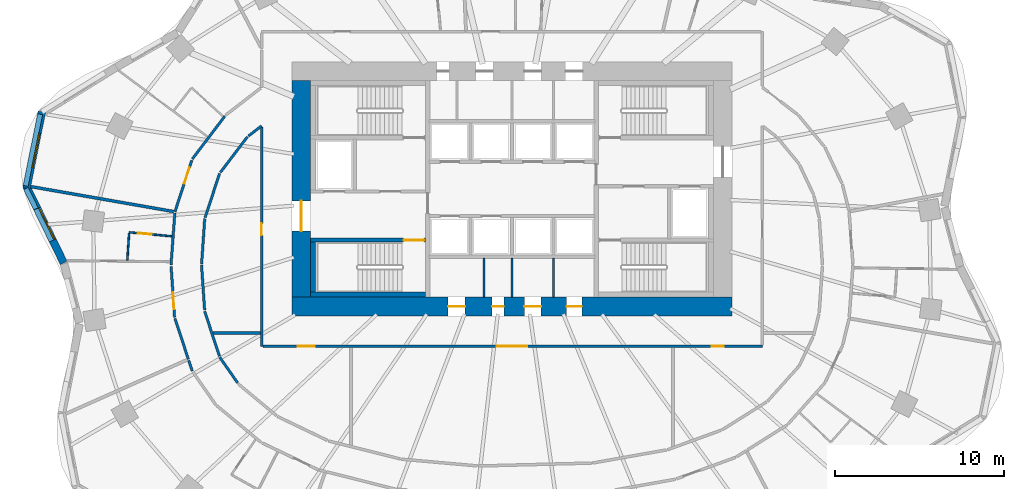
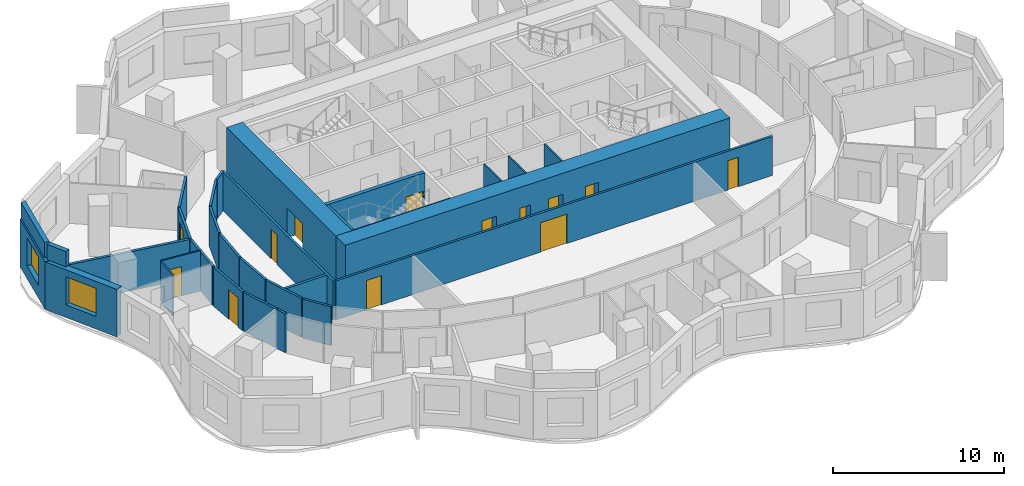
# One storey, part 4 of 10: 31 walls, 13 doors, 2 windows, 15 openings.
"""IFC4 building model written with IfcOpenShell, lengths in metres."""

from ifc_helpers import new_model, si_unit, direction, frame, frame_2d, origin, place, context, subcontext, project, spatial, rectangle, extrude, material, layer, layer_set, type_object, element, fill, save


model = new_model("IFC4")

# Units and contexts
model_context = context("Model", 3, precision=1e-05, world=origin(), true_north=direction((0.0, 1.0)))
body_context = subcontext(model_context, "Body", "Model", "MODEL_VIEW")
ifc_project = project(units=[si_unit("LENGTHUNIT", "METRE"), si_unit("AREAUNIT", "SQUARE_METRE"), si_unit("VOLUMEUNIT", "CUBIC_METRE"), si_unit("PLANEANGLEUNIT", "RADIAN"), si_unit("MASSUNIT", "GRAM", prefix="KILO")], contexts=[model_context])

# Site, building, storey
site_placement = place(None, origin())
site = spatial("IfcSite", under=ifc_project, at=site_placement, CompositionType="ELEMENT")
building_placement = place(site_placement, origin())
building = spatial("IfcBuilding", under=site, at=building_placement, Name="Rubra Terraces Tower", CompositionType="ELEMENT")
storey_placement = place(building_placement, frame((0.0, 0.0, 96.0)))
storey = spatial("IfcBuildingStorey", under=building, at=storey_placement, Name="L22", CompositionType="ELEMENT", Elevation=96.0)

# Walls
ifc_material_1 = material(Name="Twin plasterboard on staggered steel stud, acoustic mineral wool", Category="steel")
ifc_layer_1 = layer(ifc_material_1, 0.175048828125)
ifc_layer_set_1 = layer_set([ifc_layer_1], Name="Twin plasterboard on staggered steel stud, acoustic mineral wool")
wall_type_1 = type_object("IfcWallType", Name="ACOUSTIC PARTY WALL 175", PredefinedType="PARTITIONING", material=ifc_layer_set_1)
wall_1_placement = place(storey_placement, frame((-28.435791015625, 4.63818359375, 0.0), z_axis=(0.0, 0.0, 1.0), x_axis=(0.985076851218, -0.172115069633, 0.0)))
element("IfcWall", 1, at=wall_1_placement, inside=storey, type_object=wall_type_1, Name="PARTITION", PredefinedType="PARTITIONING", context=body_context, shape_type="SweptSolid", body=[
    extrude(rectangle(XDim=8.5732421875, YDim=0.175048828125, at=frame_2d((4.28662109375, 0.0))), origin(), (0.0, 0.0, 1.0), 2.783935546875),
])
wall_2_placement = place(storey_placement, frame((-17.667724609375, -4.0, 0.0), z_axis=(0.0, 0.0, 1.0), x_axis=(1.0, 0.0, 0.0)))
element("IfcWall", 2, at=wall_2_placement, inside=storey, type_object=wall_type_1, Name="PARTITION", PredefinedType="PARTITIONING", context=body_context, shape_type="SweptSolid", body=[
    extrude(rectangle(XDim=2.792724609375, YDim=0.175048828125, at=frame_2d((1.396484375, 0.0))), origin(), (0.0, 0.0, 1.0), 2.783935546875),
])

# Wall, opening, window
ifc_material_2 = material(Name="Brick masonry red-brown", Category="masonry")
ifc_layer_2 = layer(ifc_material_2, 0.449951171875)
ifc_layer_set_2 = layer_set([ifc_layer_2], Name="Brick masonry red-brown")
wall_type_2 = type_object("IfcWallType", Name="Brick facade wall 450", PredefinedType="SOLIDWALL", material=ifc_layer_set_2)
wall_3_placement = place(storey_placement, frame((-27.779541015625, 9.053466796875, 0.0), z_axis=(0.0, 0.0, 1.0), x_axis=(-0.197796229105, -0.980243159503, 0.0)))
wall_3 = element("IfcWall", 3, at=wall_3_placement, inside=storey, type_object=wall_type_2, Name="Facade wall L22 bay 19", PredefinedType="SOLIDWALL", context=body_context, shape_type="SweptSolid", body=[
    extrude(rectangle(XDim=4.610107421875, YDim=0.449951171875, at=frame_2d((2.30517578125, 0.0))), origin(), (0.0, 0.0, 1.0), 3.39990234375),
])
opening_1_placement = place(wall_3_placement, frame((1.255126953125, 0.0, 0.89990234375)))
opening_1 = element("IfcOpeningElement", 4, at=opening_1_placement, cuts=wall_3, Name="Opening W1", PredefinedType="OPENING", context=body_context, shape_type="SweptSolid", body=[
    extrude(rectangle(XDim=2.10009765625, YDim=2.0, at=frame_2d((1.050048828125, 1.0))), frame((0.0, 0.23486328125, 0.0), z_axis=(0.0, -1.0, 0.0), x_axis=(1.0, 0.0, 0.0)), (0.0, 0.0, 1.0), 0.469970703125),
])
ifc_material_3 = material(Name="Clear glass in aluminium frame", Category="aluminium")
window_type = type_object("IfcWindowType", Name="Fixed deep-set window 2100 x 2000", PartitioningType="SINGLE_PANEL", PredefinedType="WINDOW", material=ifc_material_3)
window_1_placement = place(opening_1_placement, origin())
window_1 = element("IfcWindow", 5, at=window_1_placement, inside=storey, type_object=window_type, Name="Window L22 bay 19", OverallHeight=2.0, OverallWidth=2.10009765625, PartitioningType="SINGLE_PANEL", PredefinedType="WINDOW", context=body_context, shape_type="SweptSolid", body=[
    extrude(rectangle(XDim=2.10009765625, YDim=2.0, at=frame_2d((1.050048828125, 1.0))), frame((0.0, 0.135009765625, 0.0), z_axis=(0.0, -1.0, 0.0), x_axis=(1.0, 0.0, 0.0)), (0.0, 0.0, 1.0), 0.06005859375),
])
fill(opening_1, window_1)

wall_4_placement = place(storey_placement, frame((-28.70703125, 4.672119140625, 0.0), z_axis=(0.0, 0.0, 1.0), x_axis=(0.439053549989, -0.898460895221, 0.0)))
wall_4 = element("IfcWall", 6, at=wall_4_placement, inside=storey, type_object=wall_type_2, Name="Facade wall L22 bay 20", PredefinedType="SOLIDWALL", context=body_context, shape_type="SweptSolid", body=[
    extrude(rectangle(XDim=5.061767578125, YDim=0.449951171875, at=frame_2d((2.53076171875, 0.0))), origin(), (0.0, 0.0, 1.0), 3.39990234375),
])
opening_2_placement = place(wall_4_placement, frame((1.48095703125, 0.0, 0.89990234375)))
opening_2 = element("IfcOpeningElement", 7, at=opening_2_placement, cuts=wall_4, Name="Opening W1", PredefinedType="OPENING", context=body_context, shape_type="SweptSolid", body=[
    extrude(rectangle(XDim=2.10009765625, YDim=2.0, at=frame_2d((1.050048828125, 1.0))), frame((0.0, 0.23486328125, 0.0), z_axis=(0.0, -1.0, 0.0), x_axis=(1.0, 0.0, 0.0)), (0.0, 0.0, 1.0), 0.469970703125),
])
window_2_placement = place(opening_2_placement, origin())
window_2 = element("IfcWindow", 8, at=window_2_placement, inside=storey, type_object=window_type, Name="Window L22 bay 20", OverallHeight=2.0, OverallWidth=2.10009765625, PartitioningType="SINGLE_PANEL", PredefinedType="WINDOW", context=body_context, shape_type="SweptSolid", body=[
    extrude(rectangle(XDim=2.10009765625, YDim=2.0, at=frame_2d((1.050048828125, 1.0))), frame((0.0, 0.135009765625, 0.0), z_axis=(0.0, -1.0, 0.0), x_axis=(1.0, 0.0, 0.0)), (0.0, 0.0, 1.0), 0.06005859375),
])
fill(opening_2, window_2)

# Walls
ifc_layer_3 = layer(ifc_material_2, 0.300048828125)
ifc_layer_set_3 = layer_set([ifc_layer_3], Name="Brick masonry red-brown")
wall_type_3 = type_object("IfcWallType", Name="Brick parapet 300", PredefinedType="PARAPET", material=ifc_layer_set_3)
wall_5_placement = place(storey_placement, frame((-27.884521484375, 8.91162109375, 3.60009765625), z_axis=(0.0, 0.0, 1.0), x_axis=(-0.197855213088, -0.980231255701, 0.0)))
element("IfcWall", 9, at=wall_5_placement, inside=storey, type_object=wall_type_3, Name="Parapet L22 bay 19", PredefinedType="PARAPET", context=body_context, shape_type="SweptSolid", body=[
    extrude(rectangle(XDim=4.31884765625, YDim=0.300048828125, at=frame_2d((2.159423828125, 0.0))), origin(), (0.0, 0.0, 1.0), 1.099853515625),
])
wall_6_placement = place(storey_placement, frame((-28.719482421875, 4.5263671875, 3.60009765625), z_axis=(0.0, 0.0, 1.0), x_axis=(0.439122076977, -0.898427404697, 0.0)))
element("IfcWall", 10, at=wall_6_placement, inside=storey, type_object=wall_type_3, Name="Parapet L22 bay 20", PredefinedType="PARAPET", context=body_context, shape_type="SweptSolid", body=[
    extrude(rectangle(XDim=1.3427734375, YDim=0.300048828125, at=frame_2d((0.67138671875, 0.0))), origin(), (0.0, 0.0, 1.0), 1.099853515625),
])

# Wall, openings, doors
ifc_material_4 = material(Name="Concrete C60", Category="concrete")
ifc_layer_4 = layer(ifc_material_4, 1.10009765625)
ifc_layer_set_4 = layer_set([ifc_layer_4], Name="Concrete C60")
wall_type_4 = type_object("IfcWallType", Name="CORE WALL 1100 C60", PredefinedType="SHEAR", material=ifc_layer_set_4)
wall_7_placement = place(storey_placement, frame((-13.0, -2.449951171875, 0.0), z_axis=(0.0, 0.0, 1.0), x_axis=(1.0, 0.0, 0.0)))
wall_7 = element("IfcWall", 11, at=wall_7_placement, inside=storey, type_object=wall_type_4, Name="CORE WALL S L22", PredefinedType="SHEAR", context=body_context, shape_type="SweptSolid", body=[
    extrude(rectangle(XDim=26.0, YDim=1.10009765625, at=frame_2d((13.0, 0.0))), origin(), (0.0, 0.0, 1.0), 3.60009765625),
])
opening_3_placement = place(wall_7_placement, frame((9.22509765625, 0.0, 0.0)))
opening_3 = element("IfcOpeningElement", 12, at=opening_3_placement, cuts=wall_7, Name="Opening L22.C19", PredefinedType="OPENING", context=body_context, shape_type="SweptSolid", body=[
    extrude(rectangle(XDim=1.0, YDim=2.10009765625, at=frame_2d((0.5, 1.050048828125))), frame((0.0, 0.56005859375, 0.0), z_axis=(0.0, -1.0, 0.0), x_axis=(1.0, 0.0, 0.0)), (0.0, 0.0, 1.0), 1.1201171875),
])
opening_4_placement = place(wall_7_placement, frame((11.824951171875, 0.0, 0.0)))
opening_4 = element("IfcOpeningElement", 13, at=opening_4_placement, cuts=wall_7, Name="Opening L22.C20", PredefinedType="OPENING", context=body_context, shape_type="SweptSolid", body=[
    extrude(rectangle(XDim=0.699951171875, YDim=2.10009765625, at=frame_2d((0.35009765625, 1.050048828125))), frame((0.0, 0.56005859375, 0.0), z_axis=(0.0, -1.0, 0.0), x_axis=(1.0, 0.0, 0.0)), (0.0, 0.0, 1.0), 1.1201171875),
])
opening_5_placement = place(wall_7_placement, frame((13.72509765625, 0.0, 0.0)))
opening_5 = element("IfcOpeningElement", 14, at=opening_5_placement, cuts=wall_7, Name="Opening L22.C21", PredefinedType="OPENING", context=body_context, shape_type="SweptSolid", body=[
    extrude(rectangle(XDim=1.0, YDim=2.10009765625, at=frame_2d((0.5, 1.050048828125))), frame((0.0, 0.56005859375, 0.0), z_axis=(0.0, -1.0, 0.0), x_axis=(1.0, 0.0, 0.0)), (0.0, 0.0, 1.0), 1.1201171875),
])
opening_6_placement = place(wall_7_placement, frame((16.22509765625, 0.0, 0.0)))
opening_6 = element("IfcOpeningElement", 15, at=opening_6_placement, cuts=wall_7, Name="Opening L22.C22", PredefinedType="OPENING", context=body_context, shape_type="SweptSolid", body=[
    extrude(rectangle(XDim=0.89990234375, YDim=2.10009765625, at=frame_2d((0.449951171875, 1.050048828125))), frame((0.0, 0.56005859375, 0.0), z_axis=(0.0, -1.0, 0.0), x_axis=(1.0, 0.0, 0.0)), (0.0, 0.0, 1.0), 1.1201171875),
])
ifc_material_5 = material(Name="Painted steel", Category="steel")
door_type_1 = type_object("IfcDoorType", Name="Fire door 1000x2100 single", OperationType="NOTDEFINED", PredefinedType="DOOR", material=ifc_material_5)
door_1_placement = place(opening_3_placement, origin())
door_1 = element("IfcDoor", 16, at=door_1_placement, inside=storey, type_object=door_type_1, Name="Linen store door", OperationType="SINGLE_SWING_LEFT", OverallHeight=2.10009765625, OverallWidth=1.0, PredefinedType="DOOR", context=body_context, shape_type="SweptSolid", body=[
    extrude(rectangle(XDim=1.0, YDim=2.10009765625, at=frame_2d((0.5, 1.050048828125))), frame((0.0, 0.02490234375, 0.0), z_axis=(0.0, -1.0, 0.0), x_axis=(1.0, 0.0, 0.0)), (0.0, 0.0, 1.0), 0.050048828125),
])
fill(opening_3, door_1)
door_2_placement = place(opening_5_placement, origin())
door_2 = element("IfcDoor", 17, at=door_2_placement, inside=storey, type_object=door_type_1, Name="Ice and vending room door", OperationType="SINGLE_SWING_LEFT", OverallHeight=2.10009765625, OverallWidth=1.0, PredefinedType="DOOR", context=body_context, shape_type="SweptSolid", body=[
    extrude(rectangle(XDim=1.0, YDim=2.10009765625, at=frame_2d((0.5, 1.050048828125))), frame((0.0, 0.02490234375, 0.0), z_axis=(0.0, -1.0, 0.0), x_axis=(1.0, 0.0, 0.0)), (0.0, 0.0, 1.0), 0.050048828125),
])
fill(opening_5, door_2)
door_type_2 = type_object("IfcDoorType", Name="Fire door 900x2100 single", OperationType="NOTDEFINED", PredefinedType="DOOR", material=ifc_material_5)
door_3_placement = place(opening_6_placement, origin())
door_3 = element("IfcDoor", 18, at=door_3_placement, inside=storey, type_object=door_type_2, Name="Cleaner's store door", OperationType="SINGLE_SWING_RIGHT", OverallHeight=2.10009765625, OverallWidth=0.89990234375, PredefinedType="DOOR", context=body_context, shape_type="SweptSolid", body=[
    extrude(rectangle(XDim=0.89990234375, YDim=2.10009765625, at=frame_2d((0.449951171875, 1.050048828125))), frame((0.0, 0.02490234375, 0.0), z_axis=(0.0, -1.0, 0.0), x_axis=(1.0, 0.0, 0.0)), (0.0, 0.0, 1.0), 0.050048828125),
])
fill(opening_6, door_3)
door_type_3 = type_object("IfcDoorType", Name="Riser access door 700x2100 single", OperationType="NOTDEFINED", PredefinedType="DOOR", material=ifc_material_5)
door_4_placement = place(opening_4_placement, origin())
door_4 = element("IfcDoor", 19, at=door_4_placement, inside=storey, type_object=door_type_3, Name="Telecoms room door", OperationType="SINGLE_SWING_RIGHT", OverallHeight=2.10009765625, OverallWidth=0.699951171875, PredefinedType="DOOR", context=body_context, shape_type="SweptSolid", body=[
    extrude(rectangle(XDim=0.699951171875, YDim=2.10009765625, at=frame_2d((0.35009765625, 1.050048828125))), frame((0.0, 0.02490234375, 0.0), z_axis=(0.0, -1.0, 0.0), x_axis=(1.0, 0.0, 0.0)), (0.0, 0.0, 1.0), 0.050048828125),
])
fill(opening_4, door_4)

# Wall, opening, door
wall_8_placement = place(storey_placement, frame((-12.449951171875, -1.89990234375, 0.0), z_axis=(0.0, 0.0, 1.0), x_axis=(0.0, 1.0, 0.0)))
wall_8 = element("IfcWall", 20, at=wall_8_placement, inside=storey, type_object=wall_type_4, Name="CORE WALL W L22", PredefinedType="SHEAR", context=body_context, shape_type="SweptSolid", body=[
    extrude(rectangle(XDim=12.7998046875, YDim=1.10009765625, at=frame_2d((6.39990234375, 0.0))), origin(), (0.0, 0.0, 1.0), 3.60009765625),
])
opening_7_placement = place(wall_8_placement, frame((3.89990234375, 0.0, 0.0)))
opening_7 = element("IfcOpeningElement", 21, at=opening_7_placement, cuts=wall_8, Name="Opening L22.C01", PredefinedType="OPENING", context=body_context, shape_type="SweptSolid", body=[
    extrude(rectangle(XDim=1.800048828125, YDim=2.10009765625, at=frame_2d((0.89990234375, 1.050048828125))), frame((0.0, 0.56005859375, 0.0), z_axis=(0.0, -1.0, 0.0), x_axis=(1.0, 0.0, 0.0)), (0.0, 0.0, 1.0), 1.1201171875),
])
door_type_4 = type_object("IfcDoorType", Name="Fire door 1800x2100 double", OperationType="NOTDEFINED", PredefinedType="DOOR", material=ifc_material_5)
door_5_placement = place(opening_7_placement, origin())
door_5 = element("IfcDoor", 22, at=door_5_placement, inside=storey, type_object=door_type_4, Name="Core entrance door FF1", OperationType="DOUBLE_DOOR_SINGLE_SWING", OverallHeight=2.10009765625, OverallWidth=1.800048828125, PredefinedType="DOOR", context=body_context, shape_type="SweptSolid", body=[
    extrude(rectangle(XDim=1.800048828125, YDim=2.10009765625, at=frame_2d((0.89990234375, 1.050048828125))), frame((0.0, 0.02490234375, 0.0), z_axis=(0.0, -1.0, 0.0), x_axis=(1.0, 0.0, 0.0)), (0.0, 0.0, 1.0), 0.050048828125),
])
fill(opening_7, door_5)

# Wall
ifc_material_6 = material(Name="Plasterboard on steel stud, mineral wool infill", Category="steel")
ifc_layer_5 = layer(ifc_material_6, 0.14990234375)
ifc_layer_set_5 = layer_set([ifc_layer_5], Name="Plasterboard on steel stud, mineral wool infill")
wall_type_5 = type_object("IfcWallType", Name="CORRIDOR PARTITION 150", PredefinedType="PARTITIONING", material=ifc_layer_set_5)
wall_9_placement = place(storey_placement, frame((-16.966796875, 8.799560546875, 0.0), z_axis=(0.0, 0.0, 1.0), x_axis=(-0.604991921991, -0.796231608469, 0.0)))
element("IfcWall", 23, at=wall_9_placement, inside=storey, type_object=wall_type_5, Name="PARTITION", PredefinedType="PARTITIONING", context=body_context, shape_type="SweptSolid", body=[
    extrude(rectangle(XDim=3.18505859375, YDim=0.14990234375, at=frame_2d((1.592529296875, 0.0))), origin(), (0.0, 0.0, 1.0), 2.783935546875),
])

# Wall, opening, door
wall_10_placement = place(storey_placement, frame((-18.917236328125, 6.192138671875, 0.0), z_axis=(0.0, 0.0, 1.0), x_axis=(-0.312108072507, -0.950046604686, 0.0)))
wall_10 = element("IfcWall", 24, at=wall_10_placement, inside=storey, type_object=wall_type_5, Name="PARTITION", PredefinedType="PARTITIONING", context=body_context, shape_type="SweptSolid", body=[
    extrude(rectangle(XDim=3.202392578125, YDim=0.14990234375, at=frame_2d((1.60107421875, 0.0))), origin(), (0.0, 0.0, 1.0), 2.783935546875),
])
opening_8_placement = place(wall_10_placement, frame((0.449951171875, 0.0, 0.0)))
opening_8 = element("IfcOpeningElement", 25, at=opening_8_placement, cuts=wall_10, Name="Opening 22-108", PredefinedType="OPENING", context=body_context, shape_type="SweptSolid", body=[
    extrude(rectangle(XDim=1.0, YDim=2.10009765625, at=frame_2d((0.5, 1.050048828125))), frame((0.0, 0.0849609375, 0.0), z_axis=(0.0, -1.0, 0.0), x_axis=(1.0, 0.0, 0.0)), (0.0, 0.0, 1.0), 0.169921875),
])
ifc_material_7 = material(Name="Painted timber door leaf", Category="wood")
door_type_5 = type_object("IfcDoorType", Name="ROOM DOOR 1000 X 2100", OperationType="SINGLE_SWING_LEFT", PredefinedType="DOOR", material=ifc_material_7)
door_6_placement = place(opening_8_placement, origin())
door_6 = element("IfcDoor", 26, at=door_6_placement, inside=storey, type_object=door_type_5, Name="DOOR 22-108", OperationType="SINGLE_SWING_RIGHT", OverallHeight=2.10009765625, OverallWidth=1.0, PredefinedType="DOOR", context=body_context, shape_type="SweptSolid", body=[
    extrude(rectangle(XDim=1.0, YDim=2.10009765625, at=frame_2d((0.5, 1.050048828125))), frame((0.0, 0.02490234375, 0.0), z_axis=(0.0, -1.0, 0.0), x_axis=(1.0, 0.0, 0.0)), (0.0, 0.0, 1.0), 0.050048828125),
])
fill(opening_8, door_6)

# Wall
wall_11_placement = place(storey_placement, frame((-19.922119140625, 3.07470703125, 0.0), z_axis=(0.0, 0.0, 1.0), x_axis=(-0.073565410214, -0.997290394228, 0.0)))
element("IfcWall", 27, at=wall_11_placement, inside=storey, type_object=wall_type_5, Name="PARTITION", PredefinedType="PARTITIONING", context=body_context, shape_type="SweptSolid", body=[
    extrude(rectangle(XDim=3.0830078125, YDim=0.14990234375, at=frame_2d((1.54150390625, 0.0))), origin(), (0.0, 0.0, 1.0), 2.783935546875),
])

# Wall, opening, door
wall_12_placement = place(storey_placement, frame((-20.143798828125, -0.07470703125, 0.0), z_axis=(0.0, 0.0, 1.0), x_axis=(0.068280105787, -0.997666190243, 0.0)))
wall_12 = element("IfcWall", 28, at=wall_12_placement, inside=storey, type_object=wall_type_5, Name="PARTITION", PredefinedType="PARTITIONING", context=body_context, shape_type="SweptSolid", body=[
    extrude(rectangle(XDim=3.017822265625, YDim=0.14990234375, at=frame_2d((1.5087890625, 0.0))), origin(), (0.0, 0.0, 1.0), 2.783935546875),
])
opening_9_placement = place(wall_12_placement, frame((1.550048828125, 0.0, 0.0)))
opening_9 = element("IfcOpeningElement", 29, at=opening_9_placement, cuts=wall_12, Name="Opening 22-111", PredefinedType="OPENING", context=body_context, shape_type="SweptSolid", body=[
    extrude(rectangle(XDim=1.0, YDim=2.10009765625, at=frame_2d((0.5, 1.050048828125))), frame((0.0, 0.0849609375, 0.0), z_axis=(0.0, -1.0, 0.0), x_axis=(1.0, 0.0, 0.0)), (0.0, 0.0, 1.0), 0.169921875),
])
door_7_placement = place(opening_9_placement, origin())
door_7 = element("IfcDoor", 30, at=door_7_placement, inside=storey, type_object=door_type_5, Name="DOOR 22-111", OperationType="SINGLE_SWING_RIGHT", OverallHeight=2.10009765625, OverallWidth=1.0, PredefinedType="DOOR", context=body_context, shape_type="SweptSolid", body=[
    extrude(rectangle(XDim=1.0, YDim=2.10009765625, at=frame_2d((0.5, 1.050048828125))), frame((0.0, 0.02490234375, 0.0), z_axis=(0.0, -1.0, 0.0), x_axis=(1.0, 0.0, 0.0)), (0.0, 0.0, 1.0), 0.050048828125),
])
fill(opening_9, door_7)

# Walls
wall_13_placement = place(storey_placement, frame((-19.914306640625, -3.15673828125, 0.0), z_axis=(0.0, 0.0, 1.0), x_axis=(0.312037873477, -0.950069663507, 0.0)))
element("IfcWall", 31, at=wall_13_placement, inside=storey, type_object=wall_type_5, Name="PARTITION", PredefinedType="PARTITIONING", context=body_context, shape_type="SweptSolid", body=[
    extrude(rectangle(XDim=2.53662109375, YDim=0.14990234375, at=frame_2d((1.268310546875, 0.0))), origin(), (0.0, 0.0, 1.0), 2.783935546875),
])
wall_14_placement = place(storey_placement, frame((-19.099365234375, -5.637939453125, 0.0), z_axis=(0.0, 0.0, 1.0), x_axis=(0.312220223489, -0.950009753657, 0.0)))
element("IfcWall", 32, at=wall_14_placement, inside=storey, type_object=wall_type_5, Name="PARTITION", PredefinedType="PARTITIONING", context=body_context, shape_type="SweptSolid", body=[
    extrude(rectangle(XDim=0.658447265625, YDim=0.14990234375, at=frame_2d((0.3291015625, 0.0))), origin(), (0.0, 0.0, 1.0), 2.783935546875),
])
wall_15_placement = place(storey_placement, frame((-16.20947265625, -6.9658203125, 0.0), z_axis=(0.0, 0.0, 1.0), x_axis=(-0.572051367607, 0.820217795966, 0.0)))
element("IfcWall", 33, at=wall_15_placement, inside=storey, type_object=wall_type_5, Name="PARTITION", PredefinedType="PARTITIONING", context=body_context, shape_type="SweptSolid", body=[
    extrude(rectangle(XDim=1.84765625, YDim=0.14990234375, at=frame_2d((0.923828125, 0.0))), origin(), (0.0, 0.0, 1.0), 2.783935546875),
])
wall_16_placement = place(storey_placement, frame((-17.289794921875, -5.379150390625, 0.0), z_axis=(0.0, 0.0, 1.0), x_axis=(-0.312009486843, 0.950078986253, 0.0)))
element("IfcWall", 34, at=wall_16_placement, inside=storey, type_object=wall_type_5, Name="PARTITION", PredefinedType="PARTITIONING", context=body_context, shape_type="SweptSolid", body=[
    extrude(rectangle(XDim=2.780029296875, YDim=0.14990234375, at=frame_2d((1.39013671875, 0.0))), origin(), (0.0, 0.0, 1.0), 2.783935546875),
])
for number, where, z_axis, x_axis, name in (
    (35, (-18.162353515625, -2.6630859375, 0.0), (0.0, 0.0, 1.0), (-0.068321828968, 0.997663333839, 0.0), "PARTITION"),
    (36, (-18.339599609375, 0.07470703125, 0.0), (0.0, 0.0, 1.0), (0.068321828968, 0.997663333839, 0.0), "PARTITION"),
):
    element("IfcWall", number, at=place(storey_placement, frame(where, z_axis=z_axis, x_axis=x_axis)), inside=storey, type_object=wall_type_5, Name=name, PredefinedType="PARTITIONING", context=body_context, shape_type="SweptSolid", body=[
        extrude(rectangle(XDim=2.66943359375, YDim=0.14990234375, at=frame_2d((1.334716796875, 0.0))), origin(), (0.0, 0.0, 1.0), 2.783935546875),
    ])
wall_17_placement = place(storey_placement, frame((-18.1337890625, 2.80908203125, 0.0), z_axis=(0.0, 0.0, 1.0), x_axis=(0.312005223814, 0.950080386237, 0.0)))
element("IfcWall", 37, at=wall_17_placement, inside=storey, type_object=wall_type_5, Name="PARTITION", PredefinedType="PARTITIONING", context=body_context, shape_type="SweptSolid", body=[
    extrude(rectangle(XDim=2.74267578125, YDim=0.14990234375, at=frame_2d((1.371337890625, 0.0))), origin(), (0.0, 0.0, 1.0), 2.783935546875),
])
wall_18_placement = place(storey_placement, frame((-17.232666015625, 5.474609375, 0.0), z_axis=(0.0, 0.0, 1.0), x_axis=(0.605024750549, 0.796206663639, 0.0)))
element("IfcWall", 38, at=wall_18_placement, inside=storey, type_object=wall_type_5, Name="PARTITION", PredefinedType="PARTITIONING", context=body_context, shape_type="SweptSolid", body=[
    extrude(rectangle(XDim=2.644775390625, YDim=0.14990234375, at=frame_2d((1.322265625, 0.0))), origin(), (0.0, 0.0, 1.0), 2.783935546875),
])
wall_19_placement = place(storey_placement, frame((-15.572998046875, 7.626220703125, 0.0), z_axis=(0.0, 0.0, 1.0), x_axis=(0.791581834002, 0.611063171921, 0.0)))
element("IfcWall", 39, at=wall_19_placement, inside=storey, type_object=wall_type_5, Name="PARTITION", PredefinedType="PARTITIONING", context=body_context, shape_type="SweptSolid", body=[
    extrude(rectangle(XDim=0.9765625, YDim=0.14990234375, at=frame_2d((0.48828125, 0.0))), origin(), (0.0, 0.0, 1.0), 2.783935546875),
])

# Wall, opening, door
wall_20_placement = place(storey_placement, frame((-14.800048828125, 8.14794921875, 0.0), z_axis=(0.0, 0.0, 1.0), x_axis=(0.0, -1.0, 0.0)))
wall_20 = element("IfcWall", 40, at=wall_20_placement, inside=storey, type_object=wall_type_5, Name="PARTITION", PredefinedType="PARTITIONING", context=body_context, shape_type="SweptSolid", body=[
    extrude(rectangle(XDim=12.947998046875, YDim=0.14990234375, at=frame_2d((6.47412109375, 0.0))), origin(), (0.0, 0.0, 1.0), 2.783935546875),
])
opening_10_placement = place(wall_20_placement, frame((5.68701171875, 0.0, 0.0)))
opening_10 = element("IfcOpeningElement", 41, at=opening_10_placement, cuts=wall_20, Name="Opening 22-129", PredefinedType="OPENING", context=body_context, shape_type="SweptSolid", body=[
    extrude(rectangle(XDim=0.699951171875, YDim=2.10009765625, at=frame_2d((0.35009765625, 1.050048828125))), frame((0.0, 0.0849609375, 0.0), z_axis=(0.0, -1.0, 0.0), x_axis=(1.0, 0.0, 0.0)), (0.0, 0.0, 1.0), 0.169921875),
])
door_type_6 = type_object("IfcDoorType", Name="STORE DOOR 700 X 2100", OperationType="SINGLE_SWING_LEFT", PredefinedType="DOOR", material=ifc_material_7)
door_8_placement = place(opening_10_placement, origin())
door_8 = element("IfcDoor", 42, at=door_8_placement, inside=storey, type_object=door_type_6, Name="DOOR 22-129", OperationType="SINGLE_SWING_RIGHT", OverallHeight=2.10009765625, OverallWidth=0.699951171875, PredefinedType="DOOR", context=body_context, shape_type="SweptSolid", body=[
    extrude(rectangle(XDim=0.699951171875, YDim=2.10009765625, at=frame_2d((0.35009765625, 1.050048828125))), frame((0.0, 0.02490234375, 0.0), z_axis=(0.0, -1.0, 0.0), x_axis=(1.0, 0.0, 0.0)), (0.0, 0.0, 1.0), 0.050048828125),
])
fill(opening_10, door_8)

# Wall, openings, doors
wall_21_placement = place(storey_placement, frame((-14.72509765625, -4.800048828125, 0.0), z_axis=(0.0, 0.0, 1.0), x_axis=(1.0, 0.0, 0.0)))
wall_21 = element("IfcWall", 43, at=wall_21_placement, inside=storey, type_object=wall_type_5, Name="PARTITION", PredefinedType="PARTITIONING", context=body_context, shape_type="SweptSolid", body=[
    extrude(rectangle(XDim=29.525146484375, YDim=0.14990234375, at=frame_2d((14.7626953125, 0.0))), origin(), (0.0, 0.0, 1.0), 2.783935546875),
])
opening_11_placement = place(wall_21_placement, frame((2.074951171875, 0.0, 0.0)))
opening_11 = element("IfcOpeningElement", 44, at=opening_11_placement, cuts=wall_21, Name="Opening 22-130", PredefinedType="OPENING", context=body_context, shape_type="SweptSolid", body=[
    extrude(rectangle(XDim=1.0, YDim=2.10009765625, at=frame_2d((0.5, 1.050048828125))), frame((0.0, 0.0849609375, 0.0), z_axis=(0.0, -1.0, 0.0), x_axis=(1.0, 0.0, 0.0)), (0.0, 0.0, 1.0), 0.169921875),
])
opening_12_placement = place(wall_21_placement, frame((13.824951171875, 0.0, 0.0)))
opening_12 = element("IfcOpeningElement", 45, at=opening_12_placement, cuts=wall_21, Name="Opening 22-131", PredefinedType="OPENING", context=body_context, shape_type="SweptSolid", body=[
    extrude(rectangle(XDim=1.800048828125, YDim=2.10009765625, at=frame_2d((0.89990234375, 1.050048828125))), frame((0.0, 0.0849609375, 0.0), z_axis=(0.0, -1.0, 0.0), x_axis=(1.0, 0.0, 0.0)), (0.0, 0.0, 1.0), 0.169921875),
])
opening_13_placement = place(wall_21_placement, frame((26.52490234375, 0.0, 0.0)))
opening_13 = element("IfcOpeningElement", 46, at=opening_13_placement, cuts=wall_21, Name="Opening 22-132", PredefinedType="OPENING", context=body_context, shape_type="SweptSolid", body=[
    extrude(rectangle(XDim=0.699951171875, YDim=2.10009765625, at=frame_2d((0.35009765625, 1.050048828125))), frame((0.0, 0.0849609375, 0.0), z_axis=(0.0, -1.0, 0.0), x_axis=(1.0, 0.0, 0.0)), (0.0, 0.0, 1.0), 0.169921875),
])
door_9_placement = place(opening_11_placement, origin())
door_9 = element("IfcDoor", 47, at=door_9_placement, inside=storey, type_object=door_type_5, Name="DOOR 22-130", OperationType="SINGLE_SWING_RIGHT", OverallHeight=2.10009765625, OverallWidth=1.0, PredefinedType="DOOR", context=body_context, shape_type="SweptSolid", body=[
    extrude(rectangle(XDim=1.0, YDim=2.10009765625, at=frame_2d((0.5, 1.050048828125))), frame((0.0, 0.02490234375, 0.0), z_axis=(0.0, -1.0, 0.0), x_axis=(1.0, 0.0, 0.0)), (0.0, 0.0, 1.0), 0.050048828125),
])
fill(opening_11, door_9)
ifc_material_8 = material(Name="Painted timber door leaf, double", Category="wood")
door_type_7 = type_object("IfcDoorType", Name="ROOM DOUBLE DOOR 1800 X 2100", OperationType="DOUBLE_DOOR_SINGLE_SWING", PredefinedType="DOOR", material=ifc_material_8)
door_10_placement = place(opening_12_placement, origin())
door_10 = element("IfcDoor", 48, at=door_10_placement, inside=storey, type_object=door_type_7, Name="DOOR 22-131", OperationType="DOUBLE_DOOR_SINGLE_SWING", OverallHeight=2.10009765625, OverallWidth=1.800048828125, PredefinedType="DOOR", context=body_context, shape_type="SweptSolid", body=[
    extrude(rectangle(XDim=1.800048828125, YDim=2.10009765625, at=frame_2d((0.89990234375, 1.050048828125))), frame((0.0, 0.02490234375, 0.0), z_axis=(0.0, -1.0, 0.0), x_axis=(1.0, 0.0, 0.0)), (0.0, 0.0, 1.0), 0.050048828125),
])
fill(opening_12, door_10)
door_11_placement = place(opening_13_placement, origin())
door_11 = element("IfcDoor", 49, at=door_11_placement, inside=storey, type_object=door_type_6, Name="DOOR 22-132", OperationType="SINGLE_SWING_RIGHT", OverallHeight=2.10009765625, OverallWidth=0.699951171875, PredefinedType="DOOR", context=body_context, shape_type="SweptSolid", body=[
    extrude(rectangle(XDim=0.699951171875, YDim=2.10009765625, at=frame_2d((0.35009765625, 1.050048828125))), frame((0.0, 0.02490234375, 0.0), z_axis=(0.0, -1.0, 0.0), x_axis=(1.0, 0.0, 0.0)), (0.0, 0.0, 1.0), 0.050048828125),
])
fill(opening_13, door_11)

# Walls
ifc_material_9 = material(Name="Concrete C40", Category="concrete")
ifc_layer_6 = layer(ifc_material_9, 0.300048828125)
ifc_layer_set_6 = layer_set([ifc_layer_6], Name="Concrete C40")
wall_type_6 = type_object("IfcWallType", Name="Core lining wall 300 concrete", PredefinedType="SOLIDWALL", material=ifc_layer_set_6)
wall_22_placement = place(storey_placement, frame((-11.89990234375, -1.75, 0.0), z_axis=(0.0, 0.0, 1.0), x_axis=(1.0, 0.0, 0.0)))
element("IfcWall", 50, at=wall_22_placement, inside=storey, type_object=wall_type_6, Name="CORE LINING WALL L22", PredefinedType="SOLIDWALL", context=body_context, shape_type="SweptSolid", body=[
    extrude(rectangle(XDim=6.7998046875, YDim=0.300048828125, at=frame_2d((3.39990234375, 0.0))), origin(), (0.0, 0.0, 1.0), 3.39990234375),
])
wall_23_placement = place(storey_placement, frame((-11.75, -1.60009765625, 0.0), z_axis=(0.0, 0.0, 1.0), x_axis=(0.0, 1.0, 0.0)))
element("IfcWall", 51, at=wall_23_placement, inside=storey, type_object=wall_type_6, Name="CORE LINING WALL L22", PredefinedType="SOLIDWALL", context=body_context, shape_type="SweptSolid", body=[
    extrude(rectangle(XDim=2.9501953125, YDim=0.300048828125, at=frame_2d((1.47509765625, 0.0))), origin(), (0.0, 0.0, 1.0), 3.39990234375),
])

# Wall, opening, door
ifc_material_10 = material(Name="Plasterboard on steel stud", Category="steel")
ifc_layer_7 = layer(ifc_material_10, 0.10009765625)
ifc_layer_set_7 = layer_set([ifc_layer_7], Name="Plasterboard on steel stud")
wall_type_7 = type_object("IfcWallType", Name="ROOM PARTITION 100", PredefinedType="PARTITIONING", material=ifc_layer_set_7)
wall_24_placement = place(storey_placement, frame((-20.107421875, 1.702880859375, 0.0), z_axis=(0.0, 0.0, 1.0), x_axis=(-0.995718618223, 0.092436104003, 0.0)))
wall_24 = element("IfcWall", 52, at=wall_24_placement, inside=storey, type_object=wall_type_7, Name="PARTITION", PredefinedType="PARTITIONING", context=body_context, shape_type="SweptSolid", body=[
    extrude(rectangle(XDim=2.52490234375, YDim=0.10009765625, at=frame_2d((1.262451171875, 0.0))), origin(), (0.0, 0.0, 1.0), 2.884033203125),
])
opening_14_placement = place(wall_24_placement, frame((1.199951171875, 0.0, 0.0)))
opening_14 = element("IfcOpeningElement", 53, at=opening_14_placement, cuts=wall_24, Name="Opening 22-109", PredefinedType="OPENING", context=body_context, shape_type="SweptSolid", body=[
    extrude(rectangle(XDim=0.800048828125, YDim=2.10009765625, at=frame_2d((0.39990234375, 1.050048828125))), frame((0.0, 0.06005859375, 0.0), z_axis=(0.0, -1.0, 0.0), x_axis=(1.0, 0.0, 0.0)), (0.0, 0.0, 1.0), 0.1201171875),
])
door_type_8 = type_object("IfcDoorType", Name="BATHROOM DOOR 800 X 2100", OperationType="SINGLE_SWING_LEFT", PredefinedType="DOOR", material=ifc_material_7)
door_12_placement = place(opening_14_placement, origin())
door_12 = element("IfcDoor", 54, at=door_12_placement, inside=storey, type_object=door_type_8, Name="DOOR 22-109", OperationType="SINGLE_SWING_LEFT", OverallHeight=2.10009765625, OverallWidth=0.800048828125, PredefinedType="DOOR", context=body_context, shape_type="SweptSolid", body=[
    extrude(rectangle(XDim=0.800048828125, YDim=2.10009765625, at=frame_2d((0.39990234375, 1.050048828125))), frame((0.0, 0.02490234375, 0.0), z_axis=(0.0, -1.0, 0.0), x_axis=(1.0, 0.0, 0.0)), (0.0, 0.0, 1.0), 0.050048828125),
])
fill(opening_14, door_12)

# Walls
wall_25_placement = place(storey_placement, frame((-22.625, 1.88623046875, 0.0), z_axis=(0.0, 0.0, 1.0), x_axis=(-0.066067458236, -0.997815158715, 0.0)))
element("IfcWall", 55, at=wall_25_placement, inside=storey, type_object=wall_type_7, Name="PARTITION", PredefinedType="PARTITIONING", context=body_context, shape_type="SweptSolid", body=[
    extrude(rectangle(XDim=1.61474609375, YDim=0.10009765625, at=frame_2d((0.807373046875, 0.0))), origin(), (0.0, 0.0, 1.0), 2.884033203125),
])
ifc_material_11 = material(Name="Blockwork", Category="masonry")
ifc_layer_8 = layer(ifc_material_11, 0.10009765625)
ifc_layer_set_8 = layer_set([ifc_layer_8], Name="Blockwork")
wall_type_8 = type_object("IfcWallType", Name="Service partition 100 blockwork", PredefinedType="PARTITIONING", material=ifc_layer_set_8)
for number, where, z_axis, x_axis, name in (
    (56, (-1.64990234375, -1.89990234375, 0.0), (0.0, 0.0, 1.0), (0.0, 1.0, 0.0), "SERVICE ROOM PARTITION L22"),
    (57, (0.0, -1.89990234375, 0.0), (0.0, 0.0, 1.0), (0.0, 1.0, 0.0), "SERVICE ROOM PARTITION L22"),
    (58, (2.449951171875, -1.89990234375, 0.0), (0.0, 0.0, 1.0), (0.0, 1.0, 0.0), "SERVICE ROOM PARTITION L22"),
):
    element("IfcWall", number, at=place(storey_placement, frame(where, z_axis=z_axis, x_axis=x_axis)), inside=storey, type_object=wall_type_8, Name=name, PredefinedType="PARTITIONING", context=body_context, shape_type="SweptSolid", body=[
        extrude(rectangle(XDim=2.2998046875, YDim=0.10009765625, at=frame_2d((1.14990234375, 0.0))), origin(), (0.0, 0.0, 1.0), 3.39990234375),
    ])

# Wall, opening, door
ifc_layer_9 = layer(ifc_material_9, 0.25)
ifc_layer_set_9 = layer_set([ifc_layer_9], Name="Concrete C40")
wall_type_9 = type_object("IfcWallType", Name="Stair enclosure wall 250 concrete", PredefinedType="SOLIDWALL", material=ifc_layer_set_9)
wall_26_placement = place(storey_placement, frame((-11.89990234375, 1.47509765625, 0.0), z_axis=(0.0, 0.0, 1.0), x_axis=(1.0, 0.0, 0.0)))
wall_26 = element("IfcWall", 59, at=wall_26_placement, inside=storey, type_object=wall_type_9, Name="STAIR WALL L22", PredefinedType="SOLIDWALL", context=body_context, shape_type="SweptSolid", body=[
    extrude(rectangle(XDim=6.7998046875, YDim=0.25, at=frame_2d((3.39990234375, 0.0))), origin(), (0.0, 0.0, 1.0), 3.39990234375),
])
opening_15_placement = place(wall_26_placement, frame((5.5, 0.0, 0.0)))
opening_15 = element("IfcOpeningElement", 60, at=opening_15_placement, cuts=wall_26, Name="Opening L22.C07", PredefinedType="OPENING", context=body_context, shape_type="SweptSolid", body=[
    extrude(rectangle(XDim=1.199951171875, YDim=2.10009765625, at=frame_2d((0.60009765625, 1.050048828125))), frame((0.0, 0.135009765625, 0.0), z_axis=(0.0, -1.0, 0.0), x_axis=(1.0, 0.0, 0.0)), (0.0, 0.0, 1.0), 0.27001953125),
])
door_type_9 = type_object("IfcDoorType", Name="Fire door 1200x2100 single", OperationType="NOTDEFINED", PredefinedType="DOOR", material=ifc_material_5)
door_13_placement = place(opening_15_placement, origin())
door_13 = element("IfcDoor", 61, at=door_13_placement, inside=storey, type_object=door_type_9, Name="Stair door S1", OperationType="SINGLE_SWING_LEFT", OverallHeight=2.10009765625, OverallWidth=1.199951171875, PredefinedType="DOOR", context=body_context, shape_type="SweptSolid", body=[
    extrude(rectangle(XDim=1.199951171875, YDim=2.10009765625, at=frame_2d((0.60009765625, 1.050048828125))), frame((0.0, 0.02490234375, 0.0), z_axis=(0.0, -1.0, 0.0), x_axis=(1.0, 0.0, 0.0)), (0.0, 0.0, 1.0), 0.050048828125),
])
fill(opening_15, door_13)

save(model, "model.ifc")
